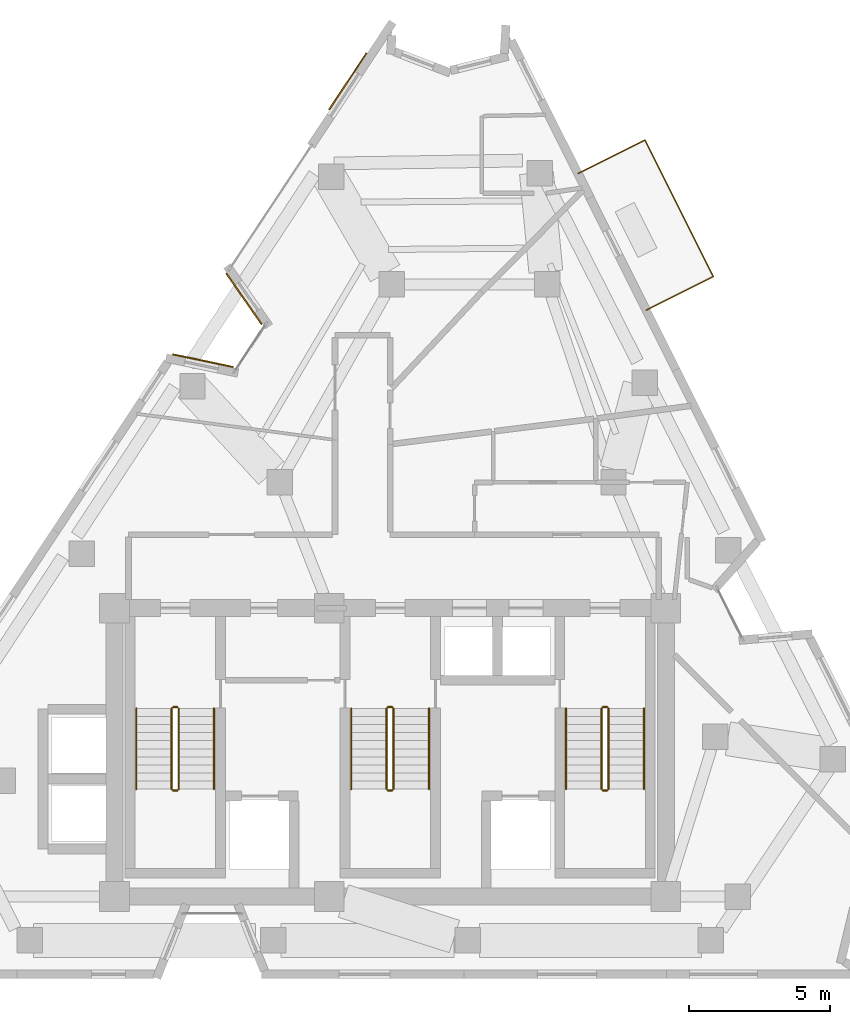
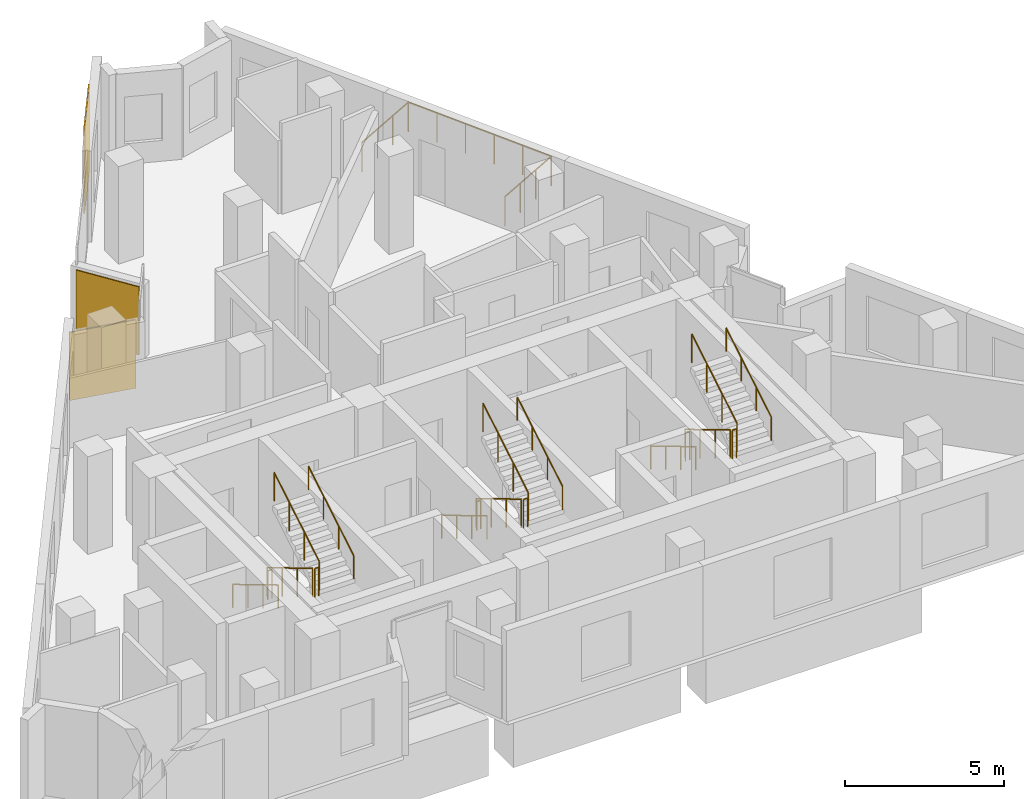
# One storey, part 9 of 9: 19 railings, 3 coverings.
"""IFC4 building model written with IfcOpenShell, lengths in metres."""

from ifc_helpers import new_model, si_unit, direction, frame, origin, origin_2d, place, context, subcontext, project, spatial, rectangle, circle, extrude, material, layer, layer_set, type_object, element, save


model = new_model("IFC4")

# Units and contexts
model_context = context("Model", 3, precision=1e-05, world=origin(), true_north=direction((0.0, 1.0)))
body_context = subcontext(model_context, "Body", "Model", "MODEL_VIEW")
ifc_project = project(units=[si_unit("LENGTHUNIT", "METRE"), si_unit("AREAUNIT", "SQUARE_METRE"), si_unit("VOLUMEUNIT", "CUBIC_METRE"), si_unit("PLANEANGLEUNIT", "RADIAN"), si_unit("MASSUNIT", "GRAM", prefix="KILO")], contexts=[model_context])

# Site, building, storey
site_placement = place(None, origin())
site = spatial("IfcSite", under=ifc_project, at=site_placement, CompositionType="ELEMENT")
building_placement = place(site_placement, origin())
building = spatial("IfcBuilding", under=site, at=building_placement, Name="Almagre Mirador Tower", CompositionType="ELEMENT")
storey_placement = place(building_placement, frame((0.0, 0.0, 252.0)))
storey = spatial("IfcBuildingStorey", under=building, at=storey_placement, Name="L65", CompositionType="ELEMENT", Elevation=252.0)

# Coverings
ifc_material_1 = material(Name="Almagre terracotta architectural cladding", Category="masonry")
ifc_layer = layer(ifc_material_1, 0.044921875)
ifc_layer_set = layer_set([ifc_layer], Name="Almagre terracotta architectural cladding")
covering_type = type_object("IfcCoveringType", Name="COV-CLAD-ALMAGRE", PredefinedType="CLADDING", material=ifc_layer_set)
for number, where, z_axis, x_axis, name in (
    (1, (30.681884765625, 23.500244140625, 0.10009765625), (0.0, 0.0, 1.0), (0.978713640544, -0.205230625914, 0.0), "L65 almagre terracotta pier cladding"),
    (2, (32.130859375, 25.6884765625, 0.10009765625), (0.0, 0.0, 1.0), (-0.570856876565, 0.821049588319, 0.0), "L65 almagre terracotta pier cladding"),
):
    element("IfcCovering", number, at=place(storey_placement, frame(where, z_axis=z_axis, x_axis=x_axis)), inside=storey, type_object=covering_type, Name=name, PredefinedType="CLADDING", context=body_context, shape_type="SweptSolid", body=[
        extrude(rectangle(XDim=2.194091796875, YDim=0.044921875, at=origin_2d()), origin(), (0.0, 0.0, 1.0), 2.625),
    ])
covering_placement = place(storey_placement, frame((35.80322265625, 33.378173828125, 0.10009765625), z_axis=(0.0, 0.0, 1.0), x_axis=(0.552140725578, 0.833750933528, 0.0)))
element("IfcCovering", 3, at=covering_placement, inside=storey, type_object=covering_type, Name="L65 almagre terracotta pier cladding", PredefinedType="CLADDING", context=body_context, shape_type="SweptSolid", body=[
    extrude(rectangle(XDim=2.39990234375, YDim=0.044921875, at=origin_2d()), origin(), (0.0, 0.0, 1.0), 3.300048828125),
])

# Railings
ifc_material_2 = material(Name="Black anodized aluminium", Category="aluminium")
railing_type_1 = type_object("IfcRailingType", Name="RLG-BAL-1150", PredefinedType="BALUSTRADE", material=ifc_material_2)
railing_1_placement = place(storey_placement, frame((46.35693359375, 25.284912109375, 0.0)))
element("IfcRailing", 4, at=railing_1_placement, inside=storey, type_object=railing_type_1, Name="L65 east balcony balustrade 1", PredefinedType="BALUSTRADE", context=body_context, shape_type="SweptSolid", body=[
    extrude(circle(Radius=0.02392578125, at=origin_2d()), frame((0.0, 0.0, 1.1259765625), z_axis=(0.894500860974, 0.447066225203, 0.0), x_axis=(-0.447066225203, 0.894500860974, 0.0)), (0.0, 0.0, 1.0), 2.650634765625),
    extrude(circle(Radius=0.02392578125, at=origin_2d()), frame((2.37109375, 1.18505859375, 1.1259765625), z_axis=(-0.4472135955, 0.894427191, 0.0), x_axis=(-0.894427191, -0.4472135955, 0.0)), (0.0, 0.0, 1.0), 5.400146484375),
    extrude(circle(Radius=0.02392578125, at=origin_2d()), frame((-0.0439453125, 6.01513671875, 1.1259765625), z_axis=(-0.894408762121, -0.447250451359, 0.0), x_axis=(0.447250451359, -0.894408762121, 0.0)), (0.0, 0.0, 1.0), 2.649658203125),
    extrude(circle(Radius=0.02099609375, at=origin_2d()), origin(), (0.0, 0.0, 1.0), 1.101806640625),
    extrude(circle(Radius=0.02099609375, at=origin_2d()), frame((0.790283203125, 0.39501953125, 0.0)), (0.0, 0.0, 1.0), 1.101806640625),
    extrude(circle(Radius=0.02099609375, at=origin_2d()), frame((1.580810546875, 0.7900390625, 0.0)), (0.0, 0.0, 1.0), 1.101806640625),
    extrude(circle(Radius=0.02099609375, at=origin_2d()), frame((2.37109375, 1.18505859375, 0.0)), (0.0, 0.0, 1.0), 1.101806640625),
    extrude(circle(Radius=0.02099609375, at=origin_2d()), frame((1.88818359375, 2.151123046875, 0.0)), (0.0, 0.0, 1.0), 1.101806640625),
    extrude(circle(Radius=0.02099609375, at=origin_2d()), frame((1.405029296875, 3.1171875, 0.0)), (0.0, 0.0, 1.0), 1.101806640625),
    extrude(circle(Radius=0.02099609375, at=origin_2d()), frame((0.922119140625, 4.0830078125, 0.0)), (0.0, 0.0, 1.0), 1.101806640625),
    extrude(circle(Radius=0.02099609375, at=origin_2d()), frame((0.43896484375, 5.049072265625, 0.0)), (0.0, 0.0, 1.0), 1.101806640625),
    extrude(circle(Radius=0.02099609375, at=origin_2d()), frame((-0.0439453125, 6.01513671875, 0.0)), (0.0, 0.0, 1.0), 1.101806640625),
    extrude(circle(Radius=0.02099609375, at=origin_2d()), frame((-0.833984375, 5.6201171875, 0.0)), (0.0, 0.0, 1.0), 1.101806640625),
    extrude(circle(Radius=0.02099609375, at=origin_2d()), frame((-1.623779296875, 5.22509765625, 0.0)), (0.0, 0.0, 1.0), 1.101806640625),
    extrude(circle(Radius=0.02099609375, at=origin_2d()), frame((-2.413818359375, 4.830078125, 0.0)), (0.0, 0.0, 1.0), 1.101806640625),
])
ifc_material_3 = material(Name="Painted galvanized steel", Category="steel")
railing_type_2 = type_object("IfcRailingType", Name="RLG-GRD-1100", PredefinedType="GUARDRAIL", material=ifc_material_3)
railing_2_placement = place(storey_placement, frame((29.574951171875, 11.199951171875, 0.17041015625)))
element("IfcRailing", 5, at=railing_2_placement, inside=storey, type_object=railing_type_2, Name="L65 ST-1 stair guard 1", PredefinedType="GUARDRAIL", context=body_context, shape_type="SweptSolid", body=[
    extrude(circle(Radius=0.02392578125, at=origin_2d()), frame((0.0, 0.0, 1.09619140625), z_axis=(0.0, -0.858199205511, 0.513316786848), x_axis=(1.0, 0.0, 0.0)), (0.0, 0.0, 1.0), 3.32080078125),
    extrude(circle(Radius=0.02099609375, at=origin_2d()), origin(), (0.0, 0.0, 1.0), 1.072021484375),
    extrude(circle(Radius=0.02099609375, at=origin_2d()), frame((0.0, -0.949951171875, 0.568115234375)), (0.0, 0.0, 1.0), 1.072021484375),
    extrude(circle(Radius=0.02099609375, at=origin_2d()), frame((0.0, -1.89990234375, 1.136474609375)), (0.0, 0.0, 1.0), 1.072021484375),
    extrude(circle(Radius=0.02099609375, at=origin_2d()), frame((0.0, -2.849853515625, 1.70458984375)), (0.0, 0.0, 1.0), 1.072021484375),
])
railing_3_placement = place(storey_placement, frame((29.625, 8.300048828125, 1.875)))
element("IfcRailing", 6, at=railing_3_placement, inside=storey, type_object=railing_type_2, Name="L65 ST-1 stair guard 2", PredefinedType="GUARDRAIL", context=body_context, shape_type="SweptSolid", body=[
    extrude(circle(Radius=0.02392578125, at=origin_2d()), frame((0.0, 0.0, 1.09619140625), z_axis=(1.0, 0.0, 0.0), x_axis=(0.0, 1.0, 0.0)), (0.0, 0.0, 1.0), 0.14990234375),
    extrude(circle(Radius=0.02099609375, at=origin_2d()), origin(), (0.0, 0.0, 1.0), 1.072021484375),
    extrude(circle(Radius=0.02099609375, at=origin_2d()), frame((0.14990234375, 0.0, 0.0)), (0.0, 0.0, 1.0), 1.072021484375),
])
railing_4_placement = place(storey_placement, frame((29.824951171875, 8.35009765625, 2.04541015625)))
element("IfcRailing", 7, at=railing_4_placement, inside=storey, type_object=railing_type_2, Name="L65 ST-1 stair guard 3", PredefinedType="GUARDRAIL", context=body_context, shape_type="SweptSolid", body=[
    extrude(circle(Radius=0.02392578125, at=origin_2d()), frame((0.0, 0.0, 1.09619140625), z_axis=(0.0, 0.858199205511, 0.513316786848), x_axis=(-1.0, 0.0, 0.0)), (0.0, 0.0, 1.0), 3.32080078125),
    extrude(circle(Radius=0.02099609375, at=origin_2d()), origin(), (0.0, 0.0, 1.0), 1.072021484375),
    extrude(circle(Radius=0.02099609375, at=origin_2d()), frame((0.0, 0.949951171875, 0.568115234375)), (0.0, 0.0, 1.0), 1.072021484375),
    extrude(circle(Radius=0.02099609375, at=origin_2d()), frame((0.0, 1.89990234375, 1.136474609375)), (0.0, 0.0, 1.0), 1.072021484375),
    extrude(circle(Radius=0.02099609375, at=origin_2d()), frame((0.0, 2.849853515625, 1.70458984375)), (0.0, 0.0, 1.0), 1.072021484375),
])
railing_5_placement = place(storey_placement, frame((29.625, 11.25, 0.0)))
element("IfcRailing", 8, at=railing_5_placement, inside=storey, type_object=railing_type_2, Name="L65 ST-1 stair guard 4", PredefinedType="GUARDRAIL", context=body_context, shape_type="SweptSolid", body=[
    extrude(circle(Radius=0.02392578125, at=origin_2d()), frame((0.0, 0.0, 1.09619140625), z_axis=(1.0, 0.0, 0.0), x_axis=(0.0, 1.0, 0.0)), (0.0, 0.0, 1.0), 0.14990234375),
    extrude(circle(Radius=0.02099609375, at=origin_2d()), origin(), (0.0, 0.0, 1.0), 1.072021484375),
    extrude(circle(Radius=0.02099609375, at=origin_2d()), frame((0.14990234375, 0.0, 0.0)), (0.0, 0.0, 1.0), 1.072021484375),
])
railing_6_placement = place(storey_placement, frame((37.175048828125, 11.199951171875, 0.17041015625)))
element("IfcRailing", 9, at=railing_6_placement, inside=storey, type_object=railing_type_2, Name="L65 ST-2 stair guard 1", PredefinedType="GUARDRAIL", context=body_context, shape_type="SweptSolid", body=[
    extrude(circle(Radius=0.02392578125, at=origin_2d()), frame((0.0, 0.0, 1.09619140625), z_axis=(0.0, -0.858199205511, 0.513316786848), x_axis=(1.0, 0.0, 0.0)), (0.0, 0.0, 1.0), 3.32080078125),
    extrude(circle(Radius=0.02099609375, at=origin_2d()), origin(), (0.0, 0.0, 1.0), 1.072021484375),
    extrude(circle(Radius=0.02099609375, at=origin_2d()), frame((0.0, -0.949951171875, 0.568115234375)), (0.0, 0.0, 1.0), 1.072021484375),
    extrude(circle(Radius=0.02099609375, at=origin_2d()), frame((0.0, -1.89990234375, 1.136474609375)), (0.0, 0.0, 1.0), 1.072021484375),
    extrude(circle(Radius=0.02099609375, at=origin_2d()), frame((0.0, -2.849853515625, 1.70458984375)), (0.0, 0.0, 1.0), 1.072021484375),
])
railing_7_placement = place(storey_placement, frame((37.22509765625, 8.300048828125, 1.875)))
element("IfcRailing", 10, at=railing_7_placement, inside=storey, type_object=railing_type_2, Name="L65 ST-2 stair guard 2", PredefinedType="GUARDRAIL", context=body_context, shape_type="SweptSolid", body=[
    extrude(circle(Radius=0.02392578125, at=origin_2d()), frame((0.0, 0.0, 1.09619140625), z_axis=(1.0, 0.0, 0.0), x_axis=(0.0, 1.0, 0.0)), (0.0, 0.0, 1.0), 0.14990234375),
    extrude(circle(Radius=0.02099609375, at=origin_2d()), origin(), (0.0, 0.0, 1.0), 1.072021484375),
    extrude(circle(Radius=0.02099609375, at=origin_2d()), frame((0.14990234375, 0.0, 0.0)), (0.0, 0.0, 1.0), 1.072021484375),
])
railing_8_placement = place(storey_placement, frame((37.425048828125, 8.35009765625, 2.04541015625)))
element("IfcRailing", 11, at=railing_8_placement, inside=storey, type_object=railing_type_2, Name="L65 ST-2 stair guard 3", PredefinedType="GUARDRAIL", context=body_context, shape_type="SweptSolid", body=[
    extrude(circle(Radius=0.02392578125, at=origin_2d()), frame((0.0, 0.0, 1.09619140625), z_axis=(0.0, 0.858199205511, 0.513316786848), x_axis=(-1.0, 0.0, 0.0)), (0.0, 0.0, 1.0), 3.32080078125),
    extrude(circle(Radius=0.02099609375, at=origin_2d()), origin(), (0.0, 0.0, 1.0), 1.072021484375),
    extrude(circle(Radius=0.02099609375, at=origin_2d()), frame((0.0, 0.949951171875, 0.568115234375)), (0.0, 0.0, 1.0), 1.072021484375),
    extrude(circle(Radius=0.02099609375, at=origin_2d()), frame((0.0, 1.89990234375, 1.136474609375)), (0.0, 0.0, 1.0), 1.072021484375),
    extrude(circle(Radius=0.02099609375, at=origin_2d()), frame((0.0, 2.849853515625, 1.70458984375)), (0.0, 0.0, 1.0), 1.072021484375),
])
railing_9_placement = place(storey_placement, frame((37.22509765625, 11.25, 0.0)))
element("IfcRailing", 12, at=railing_9_placement, inside=storey, type_object=railing_type_2, Name="L65 ST-2 stair guard 4", PredefinedType="GUARDRAIL", context=body_context, shape_type="SweptSolid", body=[
    extrude(circle(Radius=0.02392578125, at=origin_2d()), frame((0.0, 0.0, 1.09619140625), z_axis=(1.0, 0.0, 0.0), x_axis=(0.0, 1.0, 0.0)), (0.0, 0.0, 1.0), 0.14990234375),
    extrude(circle(Radius=0.02099609375, at=origin_2d()), origin(), (0.0, 0.0, 1.0), 1.072021484375),
    extrude(circle(Radius=0.02099609375, at=origin_2d()), frame((0.14990234375, 0.0, 0.0)), (0.0, 0.0, 1.0), 1.072021484375),
])
railing_10_placement = place(storey_placement, frame((44.77490234375, 11.199951171875, 0.17041015625)))
element("IfcRailing", 13, at=railing_10_placement, inside=storey, type_object=railing_type_2, Name="L65 ST-3 stair guard 1", PredefinedType="GUARDRAIL", context=body_context, shape_type="SweptSolid", body=[
    extrude(circle(Radius=0.02392578125, at=origin_2d()), frame((0.0, 0.0, 1.09619140625), z_axis=(0.0, -0.858199205511, 0.513316786848), x_axis=(1.0, 0.0, 0.0)), (0.0, 0.0, 1.0), 3.32080078125),
    extrude(circle(Radius=0.02099609375, at=origin_2d()), origin(), (0.0, 0.0, 1.0), 1.072021484375),
    extrude(circle(Radius=0.02099609375, at=origin_2d()), frame((0.0, -0.949951171875, 0.568115234375)), (0.0, 0.0, 1.0), 1.072021484375),
    extrude(circle(Radius=0.02099609375, at=origin_2d()), frame((0.0, -1.89990234375, 1.136474609375)), (0.0, 0.0, 1.0), 1.072021484375),
    extrude(circle(Radius=0.02099609375, at=origin_2d()), frame((0.0, -2.849853515625, 1.70458984375)), (0.0, 0.0, 1.0), 1.072021484375),
])
railing_11_placement = place(storey_placement, frame((44.824951171875, 8.300048828125, 1.875)))
element("IfcRailing", 14, at=railing_11_placement, inside=storey, type_object=railing_type_2, Name="L65 ST-3 stair guard 2", PredefinedType="GUARDRAIL", context=body_context, shape_type="SweptSolid", body=[
    extrude(circle(Radius=0.02392578125, at=origin_2d()), frame((0.0, 0.0, 1.09619140625), z_axis=(1.0, 0.0, 0.0), x_axis=(0.0, 1.0, 0.0)), (0.0, 0.0, 1.0), 0.150146484375),
    extrude(circle(Radius=0.02099609375, at=origin_2d()), origin(), (0.0, 0.0, 1.0), 1.072021484375),
    extrude(circle(Radius=0.02099609375, at=origin_2d()), frame((0.150146484375, 0.0, 0.0)), (0.0, 0.0, 1.0), 1.072021484375),
])
railing_12_placement = place(storey_placement, frame((45.02490234375, 8.35009765625, 2.04541015625)))
element("IfcRailing", 15, at=railing_12_placement, inside=storey, type_object=railing_type_2, Name="L65 ST-3 stair guard 3", PredefinedType="GUARDRAIL", context=body_context, shape_type="SweptSolid", body=[
    extrude(circle(Radius=0.02392578125, at=origin_2d()), frame((0.0, 0.0, 1.09619140625), z_axis=(0.0, 0.858199205511, 0.513316786848), x_axis=(-1.0, 0.0, 0.0)), (0.0, 0.0, 1.0), 3.32080078125),
    extrude(circle(Radius=0.02099609375, at=origin_2d()), origin(), (0.0, 0.0, 1.0), 1.072021484375),
    extrude(circle(Radius=0.02099609375, at=origin_2d()), frame((0.0, 0.949951171875, 0.568115234375)), (0.0, 0.0, 1.0), 1.072021484375),
    extrude(circle(Radius=0.02099609375, at=origin_2d()), frame((0.0, 1.89990234375, 1.136474609375)), (0.0, 0.0, 1.0), 1.072021484375),
    extrude(circle(Radius=0.02099609375, at=origin_2d()), frame((0.0, 2.849853515625, 1.70458984375)), (0.0, 0.0, 1.0), 1.072021484375),
])
railing_13_placement = place(storey_placement, frame((44.824951171875, 11.25, 0.0)))
element("IfcRailing", 16, at=railing_13_placement, inside=storey, type_object=railing_type_2, Name="L65 ST-3 stair guard 4", PredefinedType="GUARDRAIL", context=body_context, shape_type="SweptSolid", body=[
    extrude(circle(Radius=0.02392578125, at=origin_2d()), frame((0.0, 0.0, 1.09619140625), z_axis=(1.0, 0.0, 0.0), x_axis=(0.0, 1.0, 0.0)), (0.0, 0.0, 1.0), 0.150146484375),
    extrude(circle(Radius=0.02099609375, at=origin_2d()), origin(), (0.0, 0.0, 1.0), 1.072021484375),
    extrude(circle(Radius=0.02099609375, at=origin_2d()), frame((0.150146484375, 0.0, 0.0)), (0.0, 0.0, 1.0), 1.072021484375),
])
ifc_material_4 = material(Name="Brushed stainless steel", Category="steel")
railing_type_3 = type_object("IfcRailingType", Name="RLG-HND-915", PredefinedType="HANDRAIL", material=ifc_material_4)
railing_14_placement = place(storey_placement, frame((28.324951171875, 11.199951171875, 0.17041015625)))
element("IfcRailing", 17, at=railing_14_placement, inside=storey, type_object=railing_type_3, Name="L65 ST-1 stair handrail 1", PredefinedType="HANDRAIL", context=body_context, shape_type="SweptSolid", body=[
    extrude(circle(Radius=0.02392578125, at=origin_2d()), frame((0.0, 0.0, 0.89111328125), z_axis=(0.0, -0.858199205511, 0.513316786848), x_axis=(1.0, 0.0, 0.0)), (0.0, 0.0, 1.0), 3.32080078125),
    extrude(circle(Radius=0.02099609375, at=origin_2d()), origin(), (0.0, 0.0, 1.0), 0.866943359375),
    extrude(circle(Radius=0.02099609375, at=origin_2d()), frame((0.0, -0.949951171875, 0.568115234375)), (0.0, 0.0, 1.0), 0.866943359375),
    extrude(circle(Radius=0.02099609375, at=origin_2d()), frame((0.0, -1.89990234375, 1.136474609375)), (0.0, 0.0, 1.0), 0.866943359375),
    extrude(circle(Radius=0.02099609375, at=origin_2d()), frame((0.0, -2.849853515625, 1.70458984375)), (0.0, 0.0, 1.0), 0.866943359375),
])
railing_15_placement = place(storey_placement, frame((31.074951171875, 8.35009765625, 2.04541015625)))
element("IfcRailing", 18, at=railing_15_placement, inside=storey, type_object=railing_type_3, Name="L65 ST-1 stair handrail 2", PredefinedType="HANDRAIL", context=body_context, shape_type="SweptSolid", body=[
    extrude(circle(Radius=0.02392578125, at=origin_2d()), frame((0.0, 0.0, 0.89111328125), z_axis=(0.0, 0.858199205511, 0.513316786848), x_axis=(-1.0, 0.0, 0.0)), (0.0, 0.0, 1.0), 3.32080078125),
    extrude(circle(Radius=0.02099609375, at=origin_2d()), origin(), (0.0, 0.0, 1.0), 0.866943359375),
    extrude(circle(Radius=0.02099609375, at=origin_2d()), frame((0.0, 0.949951171875, 0.568115234375)), (0.0, 0.0, 1.0), 0.866943359375),
    extrude(circle(Radius=0.02099609375, at=origin_2d()), frame((0.0, 1.89990234375, 1.136474609375)), (0.0, 0.0, 1.0), 0.866943359375),
    extrude(circle(Radius=0.02099609375, at=origin_2d()), frame((0.0, 2.849853515625, 1.70458984375)), (0.0, 0.0, 1.0), 0.866943359375),
])
railing_16_placement = place(storey_placement, frame((35.925048828125, 11.199951171875, 0.17041015625)))
element("IfcRailing", 19, at=railing_16_placement, inside=storey, type_object=railing_type_3, Name="L65 ST-2 stair handrail 1", PredefinedType="HANDRAIL", context=body_context, shape_type="SweptSolid", body=[
    extrude(circle(Radius=0.02392578125, at=origin_2d()), frame((0.0, 0.0, 0.89111328125), z_axis=(0.0, -0.858199205511, 0.513316786848), x_axis=(1.0, 0.0, 0.0)), (0.0, 0.0, 1.0), 3.32080078125),
    extrude(circle(Radius=0.02099609375, at=origin_2d()), origin(), (0.0, 0.0, 1.0), 0.866943359375),
    extrude(circle(Radius=0.02099609375, at=origin_2d()), frame((0.0, -0.949951171875, 0.568115234375)), (0.0, 0.0, 1.0), 0.866943359375),
    extrude(circle(Radius=0.02099609375, at=origin_2d()), frame((0.0, -1.89990234375, 1.136474609375)), (0.0, 0.0, 1.0), 0.866943359375),
    extrude(circle(Radius=0.02099609375, at=origin_2d()), frame((0.0, -2.849853515625, 1.70458984375)), (0.0, 0.0, 1.0), 0.866943359375),
])
railing_17_placement = place(storey_placement, frame((38.675048828125, 8.35009765625, 2.04541015625)))
element("IfcRailing", 20, at=railing_17_placement, inside=storey, type_object=railing_type_3, Name="L65 ST-2 stair handrail 2", PredefinedType="HANDRAIL", context=body_context, shape_type="SweptSolid", body=[
    extrude(circle(Radius=0.02392578125, at=origin_2d()), frame((0.0, 0.0, 0.89111328125), z_axis=(0.0, 0.858199205511, 0.513316786848), x_axis=(-1.0, 0.0, 0.0)), (0.0, 0.0, 1.0), 3.32080078125),
    extrude(circle(Radius=0.02099609375, at=origin_2d()), origin(), (0.0, 0.0, 1.0), 0.866943359375),
    extrude(circle(Radius=0.02099609375, at=origin_2d()), frame((0.0, 0.949951171875, 0.568115234375)), (0.0, 0.0, 1.0), 0.866943359375),
    extrude(circle(Radius=0.02099609375, at=origin_2d()), frame((0.0, 1.89990234375, 1.136474609375)), (0.0, 0.0, 1.0), 0.866943359375),
    extrude(circle(Radius=0.02099609375, at=origin_2d()), frame((0.0, 2.849853515625, 1.70458984375)), (0.0, 0.0, 1.0), 0.866943359375),
])
railing_18_placement = place(storey_placement, frame((43.52490234375, 11.199951171875, 0.17041015625)))
element("IfcRailing", 21, at=railing_18_placement, inside=storey, type_object=railing_type_3, Name="L65 ST-3 stair handrail 1", PredefinedType="HANDRAIL", context=body_context, shape_type="SweptSolid", body=[
    extrude(circle(Radius=0.02392578125, at=origin_2d()), frame((0.0, 0.0, 0.89111328125), z_axis=(0.0, -0.858199205511, 0.513316786848), x_axis=(1.0, 0.0, 0.0)), (0.0, 0.0, 1.0), 3.32080078125),
    extrude(circle(Radius=0.02099609375, at=origin_2d()), origin(), (0.0, 0.0, 1.0), 0.866943359375),
    extrude(circle(Radius=0.02099609375, at=origin_2d()), frame((0.0, -0.949951171875, 0.568115234375)), (0.0, 0.0, 1.0), 0.866943359375),
    extrude(circle(Radius=0.02099609375, at=origin_2d()), frame((0.0, -1.89990234375, 1.136474609375)), (0.0, 0.0, 1.0), 0.866943359375),
    extrude(circle(Radius=0.02099609375, at=origin_2d()), frame((0.0, -2.849853515625, 1.70458984375)), (0.0, 0.0, 1.0), 0.866943359375),
])
railing_19_placement = place(storey_placement, frame((46.27490234375, 8.35009765625, 2.04541015625)))
element("IfcRailing", 22, at=railing_19_placement, inside=storey, type_object=railing_type_3, Name="L65 ST-3 stair handrail 2", PredefinedType="HANDRAIL", context=body_context, shape_type="SweptSolid", body=[
    extrude(circle(Radius=0.02392578125, at=origin_2d()), frame((0.0, 0.0, 0.89111328125), z_axis=(0.0, 0.858199205511, 0.513316786848), x_axis=(-1.0, 0.0, 0.0)), (0.0, 0.0, 1.0), 3.32080078125),
    extrude(circle(Radius=0.02099609375, at=origin_2d()), origin(), (0.0, 0.0, 1.0), 0.866943359375),
    extrude(circle(Radius=0.02099609375, at=origin_2d()), frame((0.0, 0.949951171875, 0.568115234375)), (0.0, 0.0, 1.0), 0.866943359375),
    extrude(circle(Radius=0.02099609375, at=origin_2d()), frame((0.0, 1.89990234375, 1.136474609375)), (0.0, 0.0, 1.0), 0.866943359375),
    extrude(circle(Radius=0.02099609375, at=origin_2d()), frame((0.0, 2.849853515625, 1.70458984375)), (0.0, 0.0, 1.0), 0.866943359375),
])

save(model, "model.ifc")
